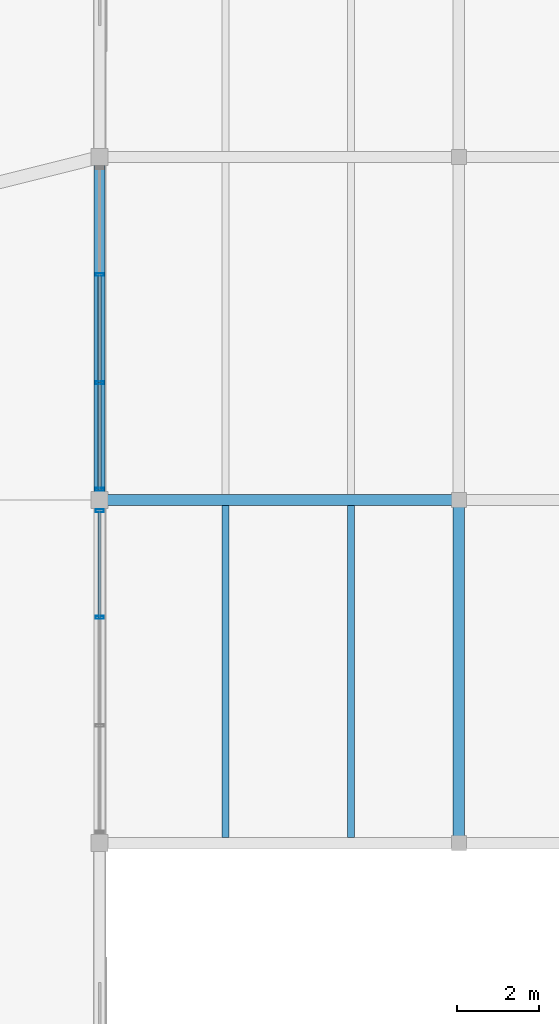
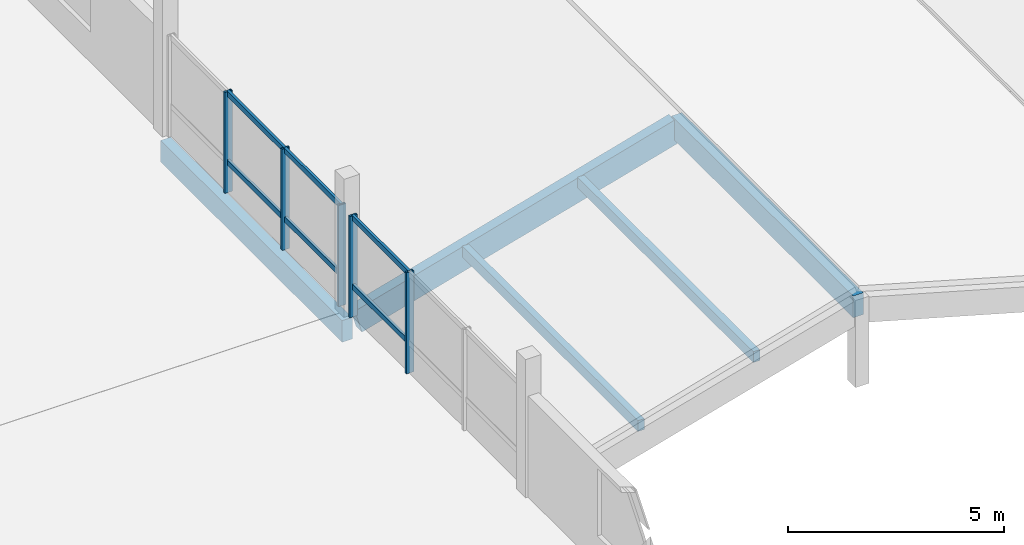
# One storey, part 25 of 47: 13 members, 3 beams, 2 elements without a shape of their own.
"""IFC4 building model written with IfcOpenShell, lengths in metres."""

from ifc_helpers import new_model, si_unit, direction, frame, origin, origin_2d, place, context, subcontext, project, spatial, rectangle, hollow_rectangle, extrude, material, layer, layer_set, material_profile, profile_set, type_object, element, aggregate, save


model = new_model("IFC4")

# Units and contexts
model_context = context("Model", 3, precision=1e-05, world=origin(), true_north=direction((0.0, 1.0)))
body_context = subcontext(model_context, "Body", "Model", "MODEL_VIEW")
ifc_project = project(units=[si_unit("LENGTHUNIT", "METRE"), si_unit("AREAUNIT", "SQUARE_METRE"), si_unit("VOLUMEUNIT", "CUBIC_METRE"), si_unit("PLANEANGLEUNIT", "RADIAN"), si_unit("MASSUNIT", "GRAM", prefix="KILO")], contexts=[model_context])

# Site, building, storey
site_placement = place(None, origin())
site = spatial("IfcSite", under=ifc_project, at=site_placement, CompositionType="ELEMENT")
building_placement = place(site_placement, origin())
building = spatial("IfcBuilding", under=site, at=building_placement, Name="Meriwether Solvik Hall", CompositionType="ELEMENT")
storey_placement = place(building_placement, frame((0.0, 0.0, 18.300048828125)))
storey = spatial("IfcBuildingStorey", under=building, at=storey_placement, Name="L04", CompositionType="ELEMENT", Elevation=18.300048828125)

# Beams
ifc_material_1 = material(Name="Glulam Douglas-Fir 24F-V8 GL28h", Category="wood")
ifc_material_profile_1 = material_profile(ifc_material_1, rectangle(XDim=0.27294921875, YDim=0.610107421875, at=origin_2d()), Name="GLB-273X610")
ifc_profile_set_1 = profile_set([ifc_material_profile_1], Name="Glulam Douglas-Fir 24F-V8 GL28h")
beam_type_1 = type_object("IfcBeamType", Name="BM-GL-273X610", PredefinedType="SPANDREL", material=ifc_profile_set_1)
beam_1_placement = place(storey_placement, frame((114.199951171875, 58.39990234375, -0.550048828125), z_axis=(0.0, 1.0, 0.0), x_axis=(-1.0, 0.0, 0.0)))
element("IfcBeam", 1, at=beam_1_placement, inside=storey, type_object=beam_type_1, Name="Podium Girder 13:G-H (L04)", PredefinedType="SPANDREL", context=body_context, shape_type="SweptSolid", body=[
    extrude(rectangle(XDim=0.27294921875, YDim=0.610107421875, at=origin_2d()), origin(), (0.0, 0.0, 1.0), 8.400146484375),
])
beam_2_placement = place(storey_placement, frame((123.0, 50.0, 2.15576171875), z_axis=(0.0, 1.0, 0.0), x_axis=(-1.0, 0.0, 0.0)))
element("IfcBeam", 2, at=beam_2_placement, inside=storey, type_object=beam_type_1, Name="Roof Tie Beam 14:F-G (L04)", PredefinedType="SPANDREL", context=body_context, shape_type="SweptSolid", body=[
    extrude(rectangle(XDim=0.27294921875, YDim=0.610107421875, at=origin_2d()), origin(), (0.0, 0.0, 1.0), 8.39990234375),
])
ifc_material_2 = material(Name="Glulam Douglas-Fir 24F-V8 GL28h", Category="wood")
ifc_material_profile_2 = material_profile(ifc_material_2, rectangle(XDim=0.27294921875, YDim=0.68505859375, at=origin_2d()), Name="GLB-273X685")
ifc_profile_set_2 = profile_set([ifc_material_profile_2], Name="Glulam Douglas-Fir 24F-V8 GL28h")
beam_type_2 = type_object("IfcBeamType", Name="BM-GL-273X685", PredefinedType="BEAM", material=ifc_profile_set_2)
beam_3_placement = place(storey_placement, frame((114.4208984375, 58.39990234375, -0.31298828125), z_axis=(0.962504746474, 0.0, 0.271264839252), x_axis=(0.0, 1.0, 0.0)))
element("IfcBeam", 3, at=beam_3_placement, inside=storey, type_object=beam_type_2, Name="Raking Glulam Roof Rafter w3_fold_1w-G (L04)", PredefinedType="BEAM", context=body_context, shape_type="SweptSolid", body=[
    extrude(rectangle(XDim=0.27294921875, YDim=0.68505859375, at=origin_2d()), origin(), (0.0, 0.0, 1.0), 8.876708984375),
])

# Curtain wall, members
ifc_material_3 = material(Name="Thermally Broken Anodised Aluminium 6063-T6 and Low-E Glass", Category="aluminium")
ifc_layer = layer(ifc_material_3, 0.179931640625)
ifc_layer_set = layer_set([ifc_layer], Name="Thermally Broken Anodised Aluminium 6063-T6 and Low-E Glass")
curtain_wall_type = type_object("IfcCurtainWallType", Name="CW-UNIT-E", PredefinedType="USERDEFINED", material=ifc_layer_set)
curtain_wall_1_placement = place(storey_placement, origin())
curtain_wall_1 = element("IfcCurtainWall", 4, at=curtain_wall_1_placement, inside=storey, type_object=curtain_wall_type, Name="Curtain Wall wing_Y13_6_27 (L04)", ObjectType="UNITISED CURTAIN WALL", PredefinedType="USERDEFINED")
ifc_material_4 = material(Name="Anodised Aluminium 6063-T6", Category="aluminium")
ifc_material_profile_3 = material_profile(ifc_material_4, hollow_rectangle(XDim=0.070068359375, YDim=0.199951171875, WallThickness=0.0048828125, at=origin_2d()), Name="CWM-70X200")
ifc_profile_set_3 = profile_set([ifc_material_profile_3], Name="Anodised Aluminium 6063-T6")
member_type_1 = type_object("IfcMemberType", Name="CW-MUL-70X200", PredefinedType="MULLION", material=ifc_profile_set_3)
member_1_placement = place(storey_placement, frame((114.199951171875, 58.139892578125, 0.0), z_axis=(0.0, 0.0, 1.0), x_axis=(0.0, -1.0, 0.0)))
member_1 = element("IfcMember", 5, at=member_1_placement, type_object=member_type_1, Name="Curtain Wall Mullion 1", PredefinedType="MULLION", context=body_context, shape_type="SweptSolid", body=[
    extrude(hollow_rectangle(XDim=0.070068359375, YDim=0.199951171875, WallThickness=0.0048828125, at=origin_2d()), origin(), (0.0, 0.0, 1.0), 2.85498046875),
])
member_2_placement = place(storey_placement, frame((114.199951171875, 55.52587890625, 0.0), z_axis=(0.0, 0.0, 1.0), x_axis=(0.0, -1.0, 0.0)))
member_2 = element("IfcMember", 6, at=member_2_placement, type_object=member_type_1, Name="Curtain Wall Mullion 2", PredefinedType="MULLION", context=body_context, shape_type="SweptSolid", body=[
    extrude(hollow_rectangle(XDim=0.070068359375, YDim=0.199951171875, WallThickness=0.0048828125, at=origin_2d()), origin(), (0.0, 0.0, 1.0), 2.85498046875),
])

curtain_wall_2_placement = place(storey_placement, origin())
curtain_wall_2 = element("IfcCurtainWall", 7, at=curtain_wall_2_placement, inside=storey, type_object=curtain_wall_type, Name="Curtain Wall wing_Y13_7_28 (L04)", ObjectType="UNITISED CURTAIN WALL", PredefinedType="USERDEFINED")
member_3_placement = place(storey_placement, frame((114.199951171875, 63.926025390625, 0.0), z_axis=(0.0, 0.0, 1.0), x_axis=(0.0, -1.0, 0.0)))
member_3 = element("IfcMember", 8, at=member_3_placement, type_object=member_type_1, Name="Curtain Wall Mullion 2", PredefinedType="MULLION", context=body_context, shape_type="SweptSolid", body=[
    extrude(hollow_rectangle(XDim=0.070068359375, YDim=0.199951171875, WallThickness=0.0048828125, at=origin_2d()), origin(), (0.0, 0.0, 1.0), 2.85498046875),
])
member_4_placement = place(storey_placement, frame((114.199951171875, 61.27392578125, 0.0), z_axis=(0.0, 0.0, 1.0), x_axis=(0.0, -1.0, 0.0)))
member_4 = element("IfcMember", 9, at=member_4_placement, type_object=member_type_1, Name="Curtain Wall Mullion 3", PredefinedType="MULLION", context=body_context, shape_type="SweptSolid", body=[
    extrude(hollow_rectangle(XDim=0.070068359375, YDim=0.199951171875, WallThickness=0.0048828125, at=origin_2d()), origin(), (0.0, 0.0, 1.0), 2.85498046875),
])
member_5_placement = place(storey_placement, frame((114.199951171875, 58.659912109375, 0.0), z_axis=(0.0, 0.0, 1.0), x_axis=(0.0, -1.0, 0.0)))
member_5 = element("IfcMember", 10, at=member_5_placement, type_object=member_type_1, Name="Curtain Wall Mullion 4", PredefinedType="MULLION", context=body_context, shape_type="SweptSolid", body=[
    extrude(hollow_rectangle(XDim=0.070068359375, YDim=0.199951171875, WallThickness=0.0048828125, at=origin_2d()), origin(), (0.0, 0.0, 1.0), 2.85498046875),
])

# Member
ifc_material_5 = material(Name="Anodised Aluminium 6063-T6", Category="aluminium")
ifc_material_profile_4 = material_profile(ifc_material_5, hollow_rectangle(XDim=0.070068359375, YDim=0.14990234375, WallThickness=0.0048828125, at=origin_2d()), Name="CWT-70X150")
ifc_profile_set_4 = profile_set([ifc_material_profile_4], Name="Anodised Aluminium 6063-T6")
member_type_2 = type_object("IfcMemberType", Name="CW-TRN-70X150", PredefinedType="USERDEFINED", material=ifc_profile_set_4)
member_6_placement = place(storey_placement, frame((114.199951171875, 58.139892578125, 0.8564453125), z_axis=(0.0, -1.0, 0.0), x_axis=(1.0, 0.0, 0.0)))
member_6 = element("IfcMember", 11, at=member_6_placement, type_object=member_type_2, Name="Curtain Wall Transom 1-sill", ObjectType="TRANSOM", PredefinedType="USERDEFINED", context=body_context, shape_type="SweptSolid", body=[
    extrude(hollow_rectangle(XDim=0.070068359375, YDim=0.14990234375, WallThickness=0.0048828125, at=origin_2d()), origin(), (0.0, 0.0, 1.0), 2.614013671875),
])

member_7_placement = place(storey_placement, frame((114.199951171875, 58.139892578125, 2.794921875), z_axis=(0.0, -1.0, 0.0), x_axis=(1.0, 0.0, 0.0)))
member_7 = element("IfcMember", 12, at=member_7_placement, type_object=member_type_2, Name="Curtain Wall Transom 1-head", ObjectType="TRANSOM", PredefinedType="USERDEFINED", context=body_context, shape_type="SweptSolid", body=[
    extrude(hollow_rectangle(XDim=0.070068359375, YDim=0.14990234375, WallThickness=0.0048828125, at=origin_2d()), origin(), (0.0, 0.0, 1.0), 2.614013671875),
])

aggregate(curtain_wall_1, [member_1, member_2, member_6, member_7])

member_8_placement = place(storey_placement, frame((114.199951171875, 63.926025390625, 0.8564453125), z_axis=(0.0, -1.0, 0.0), x_axis=(1.0, 0.0, 0.0)))
member_8 = element("IfcMember", 13, at=member_8_placement, type_object=member_type_2, Name="Curtain Wall Transom 2-sill", ObjectType="TRANSOM", PredefinedType="USERDEFINED", context=body_context, shape_type="SweptSolid", body=[
    extrude(hollow_rectangle(XDim=0.070068359375, YDim=0.14990234375, WallThickness=0.0048828125, at=origin_2d()), origin(), (0.0, 0.0, 1.0), 2.652099609375),
])

member_9_placement = place(storey_placement, frame((114.199951171875, 63.926025390625, 2.794921875), z_axis=(0.0, -1.0, 0.0), x_axis=(1.0, 0.0, 0.0)))
member_9 = element("IfcMember", 14, at=member_9_placement, type_object=member_type_2, Name="Curtain Wall Transom 2-head", ObjectType="TRANSOM", PredefinedType="USERDEFINED", context=body_context, shape_type="SweptSolid", body=[
    extrude(hollow_rectangle(XDim=0.070068359375, YDim=0.14990234375, WallThickness=0.0048828125, at=origin_2d()), origin(), (0.0, 0.0, 1.0), 2.652099609375),
])

member_10_placement = place(storey_placement, frame((114.199951171875, 61.27392578125, 0.8564453125), z_axis=(0.0, -1.0, 0.0), x_axis=(1.0, 0.0, 0.0)))
member_10 = element("IfcMember", 15, at=member_10_placement, type_object=member_type_2, Name="Curtain Wall Transom 3-sill", ObjectType="TRANSOM", PredefinedType="USERDEFINED", context=body_context, shape_type="SweptSolid", body=[
    extrude(hollow_rectangle(XDim=0.070068359375, YDim=0.14990234375, WallThickness=0.0048828125, at=origin_2d()), origin(), (0.0, 0.0, 1.0), 2.614013671875),
])

member_11_placement = place(storey_placement, frame((114.199951171875, 61.27392578125, 2.794921875), z_axis=(0.0, -1.0, 0.0), x_axis=(1.0, 0.0, 0.0)))
member_11 = element("IfcMember", 16, at=member_11_placement, type_object=member_type_2, Name="Curtain Wall Transom 3-head", ObjectType="TRANSOM", PredefinedType="USERDEFINED", context=body_context, shape_type="SweptSolid", body=[
    extrude(hollow_rectangle(XDim=0.070068359375, YDim=0.14990234375, WallThickness=0.0048828125, at=origin_2d()), origin(), (0.0, 0.0, 1.0), 2.614013671875),
])

aggregate(curtain_wall_2, [member_3, member_4, member_5, member_8, member_9, member_10, member_11])

# Members
ifc_material_6 = material(Name="Glulam Douglas-Fir 24F-V8 GL28h", Category="wood")
ifc_material_profile_5 = material_profile(ifc_material_6, rectangle(XDim=0.175048828125, YDim=0.304931640625, at=origin_2d()), Name="GLM-175X305")
ifc_profile_set_5 = profile_set([ifc_material_profile_5], Name="Glulam Douglas-Fir 24F-V8 GL28h")
member_type_3 = type_object("IfcMemberType", Name="MEM-PRL-GL175", PredefinedType="PURLIN", material=ifc_profile_set_5)
for number, where, z_axis, x_axis, name in (
    (17, (117.280029296875, 50.132568359375, 0.6962890625), (0.0, 1.0, 0.0), (-1.0, 0.0, 0.0), "Sloped Roof Glulam Purlin w3_fold_1w-1.1"),
    (18, (120.360107421875, 50.132568359375, 1.564208984375), (0.0, 1.0, 0.0), (-1.0, 0.0, 0.0), "Sloped Roof Glulam Purlin w3_fold_1w-1.2"),
):
    element("IfcMember", number, at=place(storey_placement, frame(where, z_axis=z_axis, x_axis=x_axis)), inside=storey, type_object=member_type_3, Name=name, PredefinedType="PURLIN", context=body_context, shape_type="SweptSolid", body=[
        extrude(rectangle(XDim=0.175048828125, YDim=0.304931640625, at=origin_2d()), origin(), (0.0, 0.0, 1.0), 8.135009765625),
    ])

save(model, "model.ifc")
